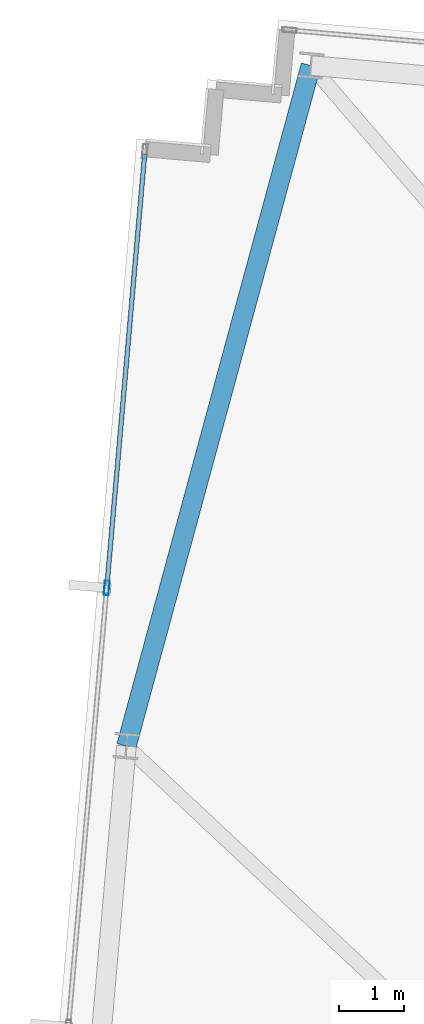
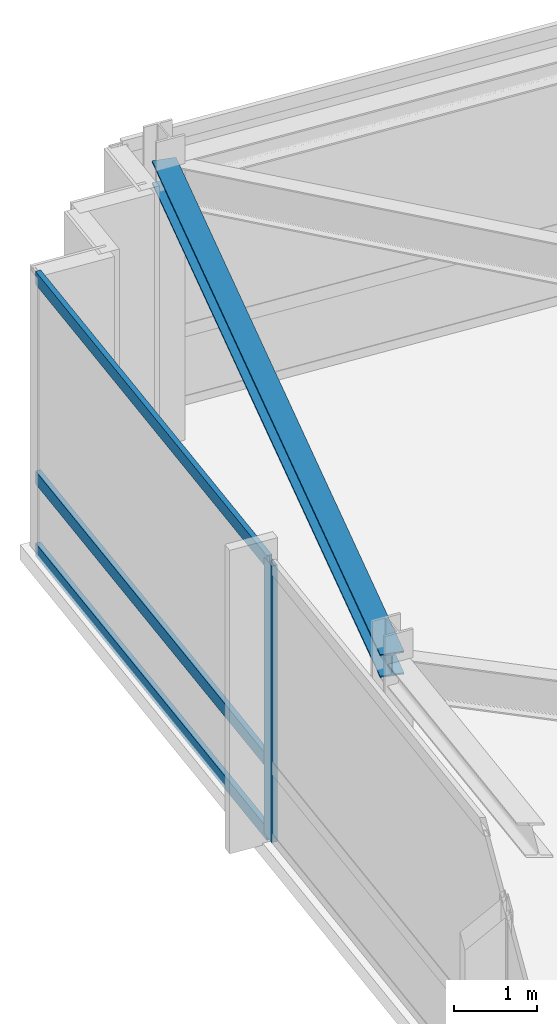
# One storey, part 8 of 25: 4 members, 1 beam, 1 element without a shape of its own.
"""IFC4 building model written with IfcOpenShell, lengths in metres."""

from ifc_helpers import new_model, si_unit, direction, frame, origin, origin_2d, place, context, subcontext, project, spatial, hollow_rectangle, i_section, extrude, material, material_profile, profile_set, type_object, element, aggregate, save


model = new_model("IFC4")

# Units and contexts
model_context = context("Model", 3, precision=1e-05, world=origin(), true_north=direction((0.0, 1.0)))
body_context = subcontext(model_context, "Body", "Model", "MODEL_VIEW")
ifc_project = project(units=[si_unit("LENGTHUNIT", "METRE"), si_unit("AREAUNIT", "SQUARE_METRE"), si_unit("VOLUMEUNIT", "CUBIC_METRE"), si_unit("PLANEANGLEUNIT", "RADIAN"), si_unit("MASSUNIT", "GRAM", prefix="KILO")], contexts=[model_context])

# Site, building, storey
site_placement = place(None, origin())
site = spatial("IfcSite", under=ifc_project, at=site_placement, CompositionType="ELEMENT")
building_placement = place(site_placement, origin())
building = spatial("IfcBuilding", under=site, at=building_placement, Name="Yelkora Congress Tower", CompositionType="ELEMENT")
storey_placement = place(building_placement, frame((0.0, 0.0, 299.89990234375)))
storey = spatial("IfcBuildingStorey", under=building, at=storey_placement, Name="L84", CompositionType="ELEMENT", Elevation=299.89990234375)

# Beam
ifc_material_1 = material(Name="Steel S355J2", Category="steel")
ifc_material_profile_1 = material_profile(ifc_material_1, i_section(OverallWidth=0.300048828125, OverallDepth=0.340087890625, WebThickness=0.011962890625, FlangeThickness=0.021484375, FilletRadius=0.027099609375, at=origin_2d()), Name="HEB 340")
ifc_profile_set_1 = profile_set([ifc_material_profile_1], Name="Steel S355J2")
beam_type = type_object("IfcBeamType", Name="BM-SPAN-HEB340", PredefinedType="SPANDREL", material=ifc_profile_set_1)
beam_placement = place(storey_placement, frame((10.60400390625, 49.884033203125, 3.91015625), z_axis=(-0.261553643334, -0.965188940912, 0.0), x_axis=(0.965188940912, -0.261553643334, 0.0)))
element("IfcBeam", 1, at=beam_placement, inside=storey, type_object=beam_type, Name="L84 Perimeter Beam 13", PredefinedType="SPANDREL", context=body_context, shape_type="SweptSolid", body=[
    extrude(i_section(OverallWidth=0.300048828125, OverallDepth=0.340087890625, WebThickness=0.011962890625, FlangeThickness=0.021484375, FilletRadius=0.027099609375, at=origin_2d()), origin(), (0.0, 0.0, 1.0), 10.768798828125),
])

# Curtain wall, members
ifc_material_2 = material(Name="Anodised aluminium and insulated glass", Category="aluminium")
curtain_wall_type = type_object("IfcCurtainWallType", Name="CW-SYS-SKY", PredefinedType="NOTDEFINED", material=ifc_material_2)
curtain_wall_placement = place(storey_placement, origin())
curtain_wall = element("IfcCurtainWall", 2, at=curtain_wall_placement, inside=storey, type_object=curtain_wall_type, Name="L84 Unitised Curtain Wall 5", PredefinedType="NOTDEFINED")
ifc_material_3 = material(Name="Anodised aluminium 6063-T6", Category="aluminium")
ifc_material_profile_2 = material_profile(ifc_material_3, hollow_rectangle(XDim=0.074951171875, YDim=0.219970703125, WallThickness=0.0048828125, at=origin_2d()), Name="ALU 75x220x5")
ifc_profile_set_2 = profile_set([ifc_material_profile_2], Name="Anodised aluminium 6063-T6")
member_type_1 = type_object("IfcMemberType", Name="MEM-ML-SKY", PredefinedType="MULLION", material=ifc_profile_set_2)
member_1_placement = place(storey_placement, frame((7.48681640625, 41.9052734375, 0.0), z_axis=(0.0, 0.0, 1.0), x_axis=(-0.996194785929, 0.08715473876, 0.0)))
member_1 = element("IfcMember", 3, at=member_1_placement, type_object=member_type_1, Name="CW-SKY mullion 4", PredefinedType="MULLION", context=body_context, shape_type="SweptSolid", body=[
    extrude(hollow_rectangle(XDim=0.074951171875, YDim=0.219970703125, WallThickness=0.0048828125, at=origin_2d()), origin(), (0.0, 0.0, 1.0), 4.080078125),
])
ifc_material_profile_3 = material_profile(ifc_material_3, hollow_rectangle(XDim=0.070068359375, YDim=0.18994140625, WallThickness=0.00390625, at=origin_2d()), Name="ALU 70x190x4")
ifc_profile_set_3 = profile_set([ifc_material_profile_3], Name="Anodised aluminium 6063-T6")
member_type_2 = type_object("IfcMemberType", Name="MEM-TR-SKY", PredefinedType="USERDEFINED", material=ifc_profile_set_3)
member_2_placement = place(storey_placement, frame((7.489990234375, 41.942626953125, 0.03515625), z_axis=(0.087142236417, 0.99619587965, 0.0), x_axis=(-0.99619587965, 0.087142236417, 0.0)))
member_2 = element("IfcMember", 4, at=member_2_placement, type_object=member_type_2, Name="CW-SKY transom 4.1", ObjectType="TRANSOM", PredefinedType="USERDEFINED", context=body_context, shape_type="SweptSolid", body=[
    extrude(hollow_rectangle(XDim=0.070068359375, YDim=0.18994140625, WallThickness=0.00390625, at=origin_2d()), origin(), (0.0, 0.0, 1.0), 6.617431640625),
])
member_3_placement = place(storey_placement, frame((7.489990234375, 41.942626953125, 1.10009765625), z_axis=(0.087142236417, 0.99619587965, 0.0), x_axis=(-0.99619587965, 0.087142236417, 0.0)))
member_3 = element("IfcMember", 5, at=member_3_placement, type_object=member_type_2, Name="CW-SKY transom 4.2", ObjectType="TRANSOM", PredefinedType="USERDEFINED", context=body_context, shape_type="SweptSolid", body=[
    extrude(hollow_rectangle(XDim=0.070068359375, YDim=0.18994140625, WallThickness=0.00390625, at=origin_2d()), origin(), (0.0, 0.0, 1.0), 6.617431640625),
])
member_4_placement = place(storey_placement, frame((7.489990234375, 41.942626953125, 4.045166015625), z_axis=(0.087142236417, 0.99619587965, 0.0), x_axis=(-0.99619587965, 0.087142236417, 0.0)))
member_4 = element("IfcMember", 6, at=member_4_placement, type_object=member_type_2, Name="CW-SKY transom 4.3", ObjectType="TRANSOM", PredefinedType="USERDEFINED", context=body_context, shape_type="SweptSolid", body=[
    extrude(hollow_rectangle(XDim=0.070068359375, YDim=0.18994140625, WallThickness=0.00390625, at=origin_2d()), origin(), (0.0, 0.0, 1.0), 6.617431640625),
])
aggregate(curtain_wall, [member_1, member_2, member_3, member_4])

save(model, "model.ifc")
